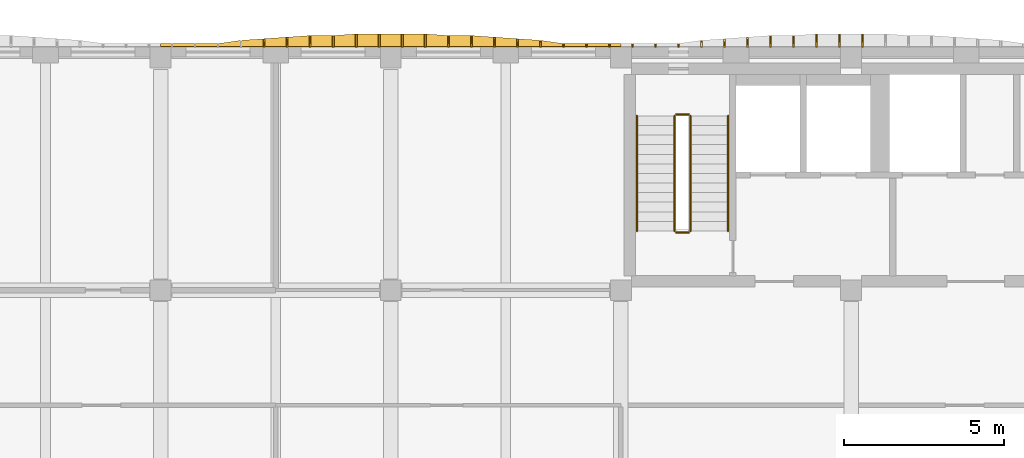
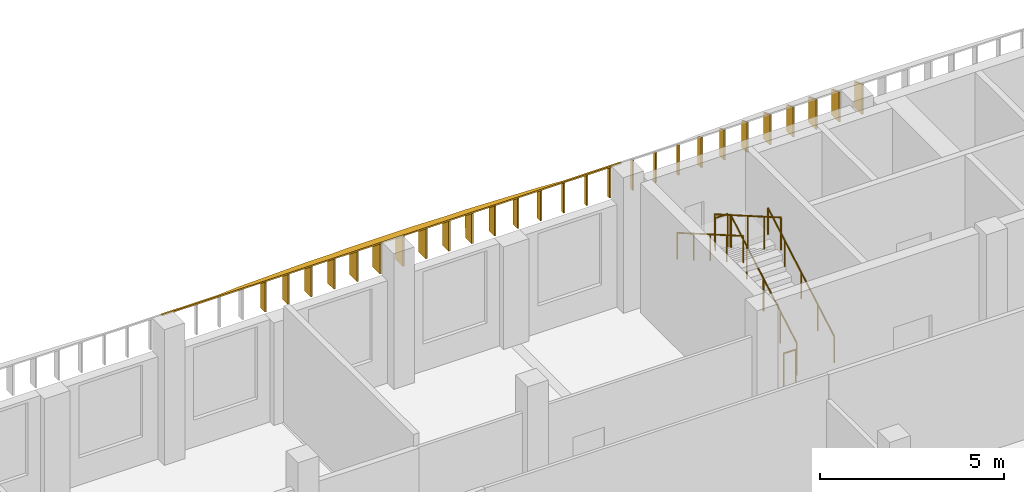
# One storey, part 48 of 58: 28 shading devices, 6 railings.
"""IFC4 building model written with IfcOpenShell, lengths in metres."""

import ifcopenshell
import ifcopenshell.guid

model = None  # the IFC model being written
_history = None  # IfcOwnerHistory: only IFC2X3 demands one
_inside = {}  # id of a spatial element -> (the spatial element, [elements in it])
_under = {}  # id of a project, library or spatial element -> (it, [spatial elements below it])
_declared = {}  # id of a project -> (the project, [libraries it declares])
_typed = {}  # id of a type object -> (the type object, [elements of that type])
_made_of = {}  # id of a material, layer set ... -> (it, [elements and type objects made of it])


def new_model(schema):
    """Start an empty IFC model of exactly this schema.

    Asked for "IFC4X3", IfcOpenShell would pick the latest addendum, in which some entities
    have other attributes; the version numbers below select the first issue.
    IFC2X3 requires an IfcOwnerHistory on every rooted entity: one is made here for all.
    """
    global model, _history
    if schema == "IFC4X3":
        model = ifcopenshell.file(schema_version=(4, 3, 0, 0))
    else:
        model = ifcopenshell.file(schema=schema)
    _inside.clear()
    _under.clear()
    _declared.clear()
    _typed.clear()
    _made_of.clear()
    _history = None
    if model.schema == "IFC2X3":
        org = make("IfcOrganization", Name="unknown")
        user = make(
            "IfcPersonAndOrganization",
            ThePerson=make("IfcPerson", FamilyName="unknown"),
            TheOrganization=org,
        )
        app = make(
            "IfcApplication",
            ApplicationDeveloper=org,
            Version="unknown",
            ApplicationFullName="unknown",
            ApplicationIdentifier="unknown",
        )
        _history = make(
            "IfcOwnerHistory",
            OwningUser=user,
            OwningApplication=app,
            ChangeAction="ADDED",
            CreationDate=0,
        )
    return model


def make(cls, **values):
    """One entity of the class cls with the attributes given. An attribute that is None is left unset."""
    return model.create_entity(
        cls, **{name: value for name, value in values.items() if value is not None}
    )


def rooted(cls, **values):
    """An entity with a GlobalId (a new one), such as an element, a storey or a relation."""
    return make(cls, GlobalId=ifcopenshell.guid.new(), OwnerHistory=_history, **values)


def si_unit(unit_type, name, prefix=None):
    """IfcSIUnit, for example si_unit("LENGTHUNIT", "METRE", prefix="MILLI")."""
    return make("IfcSIUnit", UnitType=unit_type, Prefix=prefix, Name=name)


def assignment(units):
    """IfcUnitAssignment: the units of a project."""
    return None if units is None else make("IfcUnitAssignment", Units=units)


def point(xyz):
    """IfcCartesianPoint."""
    return None if xyz is None else make("IfcCartesianPoint", Coordinates=xyz)


def direction(xyz):
    """IfcDirection."""
    return None if xyz is None else make("IfcDirection", DirectionRatios=xyz)


def frame(location, z_axis=None, x_axis=None):
    """IfcAxis2Placement3D, a coordinate frame: its origin and axes. An axis left out is left unset."""
    return make(
        "IfcAxis2Placement3D",
        Location=point(location),
        Axis=direction(z_axis),
        RefDirection=direction(x_axis),
    )


def frame_2d(location, x_axis=None):
    """IfcAxis2Placement2D, a coordinate frame in the plane: its origin and x axis."""
    return make(
        "IfcAxis2Placement2D", Location=point(location), RefDirection=direction(x_axis)
    )


def origin():
    """The frame at (0, 0, 0) with its axes left unset."""
    return frame((0.0, 0.0, 0.0))


def origin_2d():
    """The frame at (0, 0) in the plane with its x axis left unset."""
    return frame_2d((0.0, 0.0))


def place(relative_to, where):
    """IfcLocalPlacement: puts the frame where relative to a parent placement (None: the world)."""
    return make(
        "IfcLocalPlacement", PlacementRelTo=relative_to, RelativePlacement=where
    )


def context(
    kind, dimensions, precision=None, world=None, true_north=None, identifier=None
):
    """IfcGeometricRepresentationContext, for example the 3D "Model" context."""
    return make(
        "IfcGeometricRepresentationContext",
        ContextIdentifier=identifier,
        ContextType=kind,
        CoordinateSpaceDimension=dimensions,
        Precision=precision,
        WorldCoordinateSystem=world,
        TrueNorth=true_north,
    )


def subcontext(parent, identifier, kind, view, scale=None):
    """IfcGeometricRepresentationSubContext, for example "Body" below "Model"."""
    return make(
        "IfcGeometricRepresentationSubContext",
        ContextIdentifier=identifier,
        ContextType=kind,
        ParentContext=parent,
        TargetScale=scale,
        TargetView=view,
    )


def project(units=None, contexts=None):
    """IfcProject with its units and contexts."""
    return rooted(
        "IfcProject",
        Name="project",
        RepresentationContexts=contexts,
        UnitsInContext=assignment(units),
    )


def spatial(cls, under=None, at=None, **own):
    """A site, building, storey or space (cls), placed at a placement, below another one or the project."""
    s = rooted(cls, ObjectPlacement=at, **own)
    if under is not None:
        _under.setdefault(under.id(), (under, []))[1].append(s)
    return s


def polyline(points):
    """IfcPolyline through the points."""
    return make("IfcPolyline", Points=[point(p) for p in points])


def profile(cls, at=None, kind="AREA", **sizes):
    """A parametric profile (cls). Its sizes go by their IFC names, for example OverallWidth=200.0."""
    return make(cls, ProfileType=kind, Position=at, **sizes)


def circle(**sizes):
    """IfcCircleProfileDef."""
    return profile("IfcCircleProfileDef", **sizes)


def outline(outer, holes=None, kind="AREA"):
    """IfcArbitraryClosedProfileDef: a profile drawn as a closed curve; with holes, ...WithVoids."""
    if holes is None:
        return make("IfcArbitraryClosedProfileDef", ProfileType=kind, OuterCurve=outer)
    return make(
        "IfcArbitraryProfileDefWithVoids",
        ProfileType=kind,
        OuterCurve=outer,
        InnerCurves=holes,
    )


def extrude(swept, where, along, depth):
    """IfcExtrudedAreaSolid: the profile swept, set in the frame where, extruded along a direction by depth."""
    return make(
        "IfcExtrudedAreaSolid",
        SweptArea=swept,
        Position=where,
        ExtrudedDirection=direction(along),
        Depth=depth,
    )


def shape(context_of_items, identifier, shape_type, items):
    """IfcShapeRepresentation: the items that make up one representation, for example the "Body"."""
    return make(
        "IfcShapeRepresentation",
        ContextOfItems=context_of_items,
        RepresentationIdentifier=identifier,
        RepresentationType=shape_type,
        Items=items,
    )


def material(Name=None, Category=None):
    """IfcMaterial."""
    return make("IfcMaterial", Name=Name, Category=Category)


def layer(
    of_material, thickness, ventilated=None, Name=None, Category=None, Priority=None
):
    """IfcMaterialLayer: one layer of a wall or slab, of a material (None: an air gap)."""
    return make(
        "IfcMaterialLayer",
        Material=of_material,
        LayerThickness=thickness,
        IsVentilated=ventilated,
        Name=Name,
        Category=Category,
        Priority=Priority,
    )


def layer_set(layers, Name=None):
    """IfcMaterialLayerSet."""
    return make("IfcMaterialLayerSet", MaterialLayers=layers, LayerSetName=Name)


def made_of(thing, what):
    """Note that an element or type object is made of a material, layer set ...; save() writes the relation."""
    if what is not None:
        _made_of.setdefault(what.id(), (what, []))[1].append(thing)
    return thing


def type_object(cls, material=None, **own):
    """A type object (cls), such as IfcWallType, which elements share."""
    return made_of(rooted(cls, **own), material)


def element(
    cls,
    number,
    at=None,
    inside=None,
    cuts=None,
    type_object=None,
    material=None,
    context=None,
    identifier="Body",
    shape_type=None,
    held_by="IfcProductDefinitionShape",
    body=None,
    shapes=None,
    **own,
):
    """One element of the class cls, such as IfcWall. Its Tag is "e" and its number.

    at: its placement. inside: the storey or other place that contains it. cuts: it is an
    opening in that element (IfcRelVoidsElement). A single representation is given by context,
    identifier, shape_type and body (its items); several are given by shapes. held_by: the class
    of the entity that holds the representations. save() writes the other relations.
    """
    e = rooted(cls, Tag="e%d" % number, ObjectPlacement=at, **own)
    if body is not None:
        shapes = [shape(context, identifier, shape_type, body)]
    if shapes is not None:
        e.Representation = make(held_by, Representations=shapes)
    if inside is not None:
        _inside.setdefault(inside.id(), (inside, []))[1].append(e)
    if cuts is not None:
        rooted(
            "IfcRelVoidsElement", RelatingBuildingElement=cuts, RelatedOpeningElement=e
        )
    if type_object is not None:
        _typed.setdefault(type_object.id(), (type_object, []))[1].append(e)
    return made_of(e, material)


def aggregate(whole, parts):
    """IfcRelAggregates: a whole, such as a stair, and the parts it consists of."""
    return rooted("IfcRelAggregates", RelatingObject=whole, RelatedObjects=parts)


def save(model, path):
    """Write the relations noted so far, then the file.

    IfcRelAggregates (storeys below a building ...), IfcRelContainedInSpatialStructure (elements
    in a storey), IfcRelDefinesByType, IfcRelAssociatesMaterial and IfcRelDeclares: one each for
    every whole, place, type object, material and project.
    """
    for whole, parts in _under.values():
        aggregate(whole, parts)
    for where, things in _inside.values():
        rooted(
            "IfcRelContainedInSpatialStructure",
            RelatedElements=things,
            RelatingStructure=where,
        )
    for kind, things in _typed.values():
        rooted("IfcRelDefinesByType", RelatedObjects=things, RelatingType=kind)
    for what, things in _made_of.values():
        rooted("IfcRelAssociatesMaterial", RelatedObjects=things, RelatingMaterial=what)
    for by, libraries in _declared.values():
        rooted("IfcRelDeclares", RelatingContext=by, RelatedDefinitions=libraries)
    model.write(path)


model = new_model("IFC4")

# Units and contexts
model_context = context("Model", 3, precision=1e-05, world=origin(), true_north=direction((0.0, 1.0)))
body_context = subcontext(model_context, "Body", "Model", "MODEL_VIEW")
ifc_project = project(units=[si_unit("LENGTHUNIT", "METRE"), si_unit("AREAUNIT", "SQUARE_METRE"), si_unit("VOLUMEUNIT", "CUBIC_METRE"), si_unit("PLANEANGLEUNIT", "RADIAN"), si_unit("MASSUNIT", "GRAM", prefix="KILO")], contexts=[model_context])

# Site, building, storey
site_placement = place(None, origin())
site = spatial("IfcSite", under=ifc_project, at=site_placement, CompositionType="ELEMENT")
building_placement = place(site_placement, origin())
building = spatial("IfcBuilding", under=site, at=building_placement, Name="Ussher Court Research Institute", CompositionType="ELEMENT")
storey_placement = place(building_placement, frame((0.0, 0.0, 9.89990234375)))
storey = spatial("IfcBuildingStorey", under=building, at=storey_placement, Name="L02", CompositionType="ELEMENT", Elevation=9.89990234375)

# Shading devices
ifc_material_1 = material(Name="Bronze anodised aluminium", Category="aluminium")
ifc_layer_1 = layer(ifc_material_1, 0.050048828125)
ifc_layer_set_1 = layer_set([ifc_layer_1], Name="Bronze anodised aluminium")
shading_device_type_1 = type_object("IfcShadingDeviceType", Name="Brim blade 100 mm deep 1000 mm high canted 20 deg dry", PredefinedType="USERDEFINED", material=ifc_layer_set_1)
for number, where, z_axis, x_axis, name in (
    (1, (44.39990234375, 90.800048828125, 3.4501953125), (0.0, 0.0, 1.0), (0.0, 1.0, 0.0), "Brim blade BS17 L02"),
    (2, (45.1201171875, 90.800048828125, 3.4501953125), (0.0, 0.0, 1.0), (0.0, 1.0, 0.0), "Brim blade BS17 L02"),
    (3, (45.840087890625, 90.800048828125, 3.4501953125), (0.0, 0.0, 1.0), (0.0, 1.0, 0.0), "Brim blade BS17 L02"),
    (4, (46.56005859375, 90.800048828125, 3.4501953125), (0.0, 0.0, 1.0), (0.0, 1.0, 0.0), "Brim blade BS17 L02"),
    (5, (47.280029296875, 90.800048828125, 3.4501953125), (0.0, 0.0, 1.0), (0.0, 1.0, 0.0), "Brim blade BS17 L02"),
    (6, (48.0, 90.800048828125, 3.4501953125), (0.0, 0.0, 1.0), (0.0, 1.0, 0.0), "Brim blade BS17 L02"),
):
    element("IfcShadingDevice", number, at=place(storey_placement, frame(where, z_axis=z_axis, x_axis=x_axis)), inside=storey, type_object=shading_device_type_1, Name=name, ObjectType="BLADE", PredefinedType="USERDEFINED", context=body_context, shape_type="SweptSolid", body=[
        extrude(outline(polyline([(0.0, 0.0), (0.099853515625, 0.0), (0.10009765625, 0.963623046875), (0.0, 1.0), (0.0, 0.0)])), frame((0.0, 0.02490234375, 0.0), z_axis=(0.0, -1.0, 0.0), x_axis=(1.0, 0.0, 0.0)), (0.0, 0.0, 1.0), 0.050048828125),
    ])
ifc_material_2 = material(Name="Bronze anodised aluminium", Category="aluminium")
ifc_layer_2 = layer(ifc_material_2, 0.050048828125)
ifc_layer_set_2 = layer_set([ifc_layer_2], Name="Bronze anodised aluminium")
shading_device_type_2 = type_object("IfcShadingDeviceType", Name="Brim blade 200 mm deep 1000 mm high canted 20 deg dry", PredefinedType="USERDEFINED", material=ifc_layer_set_2)
for number, where, z_axis, x_axis, name in (
    (7, (43.679931640625, 90.800048828125, 3.4501953125), (0.0, 0.0, 1.0), (0.0, 1.0, 0.0), "Brim blade BS15 L02"),
    (8, (48.719970703125, 90.800048828125, 3.4501953125), (0.0, 0.0, 1.0), (0.0, 1.0, 0.0), "Brim blade BS15 L02"),
):
    element("IfcShadingDevice", number, at=place(storey_placement, frame(where, z_axis=z_axis, x_axis=x_axis)), inside=storey, type_object=shading_device_type_2, Name=name, ObjectType="BLADE", PredefinedType="USERDEFINED", context=body_context, shape_type="SweptSolid", body=[
        extrude(outline(polyline([(0.0, 0.0), (0.199951171875, 0.0), (0.199951171875, 0.927001953125), (0.0, 1.0), (0.0, 0.0)])), frame((0.0, 0.02490234375, 0.0), z_axis=(0.0, -1.0, 0.0), x_axis=(1.0, 0.0, 0.0)), (0.0, 0.0, 1.0), 0.050048828125),
    ])
ifc_material_3 = material(Name="Bronze anodised aluminium", Category="aluminium")
ifc_layer_3 = layer(ifc_material_3, 0.050048828125)
ifc_layer_set_3 = layer_set([ifc_layer_3], Name="Bronze anodised aluminium")
shading_device_type_3 = type_object("IfcShadingDeviceType", Name="Brim blade 250 mm deep 1000 mm high canted 20 deg dry", PredefinedType="USERDEFINED", material=ifc_layer_set_3)
for number, where, z_axis, x_axis, name in (
    (9, (35.0400390625, 90.800048828125, 3.4501953125), (0.0, 0.0, 1.0), (0.0, 1.0, 0.0), "Brim blade BS14 L02"),
    (10, (42.9599609375, 90.800048828125, 3.4501953125), (0.0, 0.0, 1.0), (0.0, 1.0, 0.0), "Brim blade BS14 L02"),
    (11, (49.43994140625, 90.800048828125, 3.4501953125), (0.0, 0.0, 1.0), (0.0, 1.0, 0.0), "Brim blade BS14 L02"),
):
    element("IfcShadingDevice", number, at=place(storey_placement, frame(where, z_axis=z_axis, x_axis=x_axis)), inside=storey, type_object=shading_device_type_3, Name=name, ObjectType="BLADE", PredefinedType="USERDEFINED", context=body_context, shape_type="SweptSolid", body=[
        extrude(outline(polyline([(0.0, 0.0), (0.25, 0.0), (0.25, 0.908935546875), (0.0, 1.0), (0.0, 0.0)])), frame((0.0, 0.02490234375, 0.0), z_axis=(0.0, -1.0, 0.0), x_axis=(1.0, 0.0, 0.0)), (0.0, 0.0, 1.0), 0.050048828125),
    ])
ifc_material_4 = material(Name="Bronze anodised aluminium", Category="aluminium")
ifc_layer_4 = layer(ifc_material_4, 0.050048828125)
ifc_layer_set_4 = layer_set([ifc_layer_4], Name="Bronze anodised aluminium")
shading_device_type_4 = type_object("IfcShadingDeviceType", Name="Brim blade 300 mm deep 1000 mm high canted 20 deg dry", PredefinedType="USERDEFINED", material=ifc_layer_set_4)
for number, where, z_axis, x_axis, name in (
    (12, (35.760009765625, 90.800048828125, 3.4501953125), (0.0, 0.0, 1.0), (0.0, 1.0, 0.0), "Brim blade BS13 L02"),
    (13, (42.239990234375, 90.800048828125, 3.4501953125), (0.0, 0.0, 1.0), (0.0, 1.0, 0.0), "Brim blade BS13 L02"),
    (14, (50.159912109375, 90.800048828125, 3.4501953125), (0.0, 0.0, 1.0), (0.0, 1.0, 0.0), "Brim blade BS13 L02"),
):
    element("IfcShadingDevice", number, at=place(storey_placement, frame(where, z_axis=z_axis, x_axis=x_axis)), inside=storey, type_object=shading_device_type_4, Name=name, ObjectType="BLADE", PredefinedType="USERDEFINED", context=body_context, shape_type="SweptSolid", body=[
        extrude(outline(polyline([(0.0, 0.0), (0.300048828125, 0.0), (0.300048828125, 0.890625), (0.0, 1.0), (0.0, 0.0)])), frame((0.0, 0.02490234375, 0.0), z_axis=(0.0, -1.0, 0.0), x_axis=(1.0, 0.0, 0.0)), (0.0, 0.0, 1.0), 0.050048828125),
    ])
ifc_material_5 = material(Name="Bronze anodised aluminium", Category="aluminium")
ifc_layer_5 = layer(ifc_material_5, 0.050048828125)
ifc_layer_set_5 = layer_set([ifc_layer_5], Name="Bronze anodised aluminium")
shading_device_type_5 = type_object("IfcShadingDeviceType", Name="Brim blade 350 mm deep 1000 mm high canted 20 deg dry", PredefinedType="USERDEFINED", material=ifc_layer_set_5)
for number, where, z_axis, x_axis, name in (
    (15, (36.47998046875, 90.800048828125, 3.4501953125), (0.0, 0.0, 1.0), (0.0, 1.0, 0.0), "Brim blade BS12 L02"),
    (16, (37.199951171875, 90.800048828125, 3.4501953125), (0.0, 0.0, 1.0), (0.0, 1.0, 0.0), "Brim blade BS12 L02"),
    (17, (40.800048828125, 90.800048828125, 3.4501953125), (0.0, 0.0, 1.0), (0.0, 1.0, 0.0), "Brim blade BS12 L02"),
    (18, (41.52001953125, 90.800048828125, 3.4501953125), (0.0, 0.0, 1.0), (0.0, 1.0, 0.0), "Brim blade BS12 L02"),
    (19, (50.8798828125, 90.800048828125, 3.4501953125), (0.0, 0.0, 1.0), (0.0, 1.0, 0.0), "Brim blade BS12 L02"),
    (20, (51.60009765625, 90.800048828125, 3.4501953125), (0.0, 0.0, 1.0), (0.0, 1.0, 0.0), "Brim blade BS12 L02"),
):
    element("IfcShadingDevice", number, at=place(storey_placement, frame(where, z_axis=z_axis, x_axis=x_axis)), inside=storey, type_object=shading_device_type_5, Name=name, ObjectType="BLADE", PredefinedType="USERDEFINED", context=body_context, shape_type="SweptSolid", body=[
        extrude(outline(polyline([(0.0, 0.0), (0.349853515625, 0.0), (0.35009765625, 0.87255859375), (0.0, 1.0), (0.0, 0.0)])), frame((0.0, 0.02490234375, 0.0), z_axis=(0.0, -1.0, 0.0), x_axis=(1.0, 0.0, 0.0)), (0.0, 0.0, 1.0), 0.050048828125),
    ])
ifc_material_6 = material(Name="Bronze anodised aluminium", Category="aluminium")
ifc_layer_6 = layer(ifc_material_6, 0.050048828125)
ifc_layer_set_6 = layer_set([ifc_layer_6], Name="Bronze anodised aluminium")
shading_device_type_6 = type_object("IfcShadingDeviceType", Name="Brim blade 400 mm deep 1000 mm high canted 20 deg dry", PredefinedType="USERDEFINED", material=ifc_layer_set_6)
for number, where, z_axis, x_axis, name in (
    (21, (37.919921875, 90.800048828125, 3.4501953125), (0.0, 0.0, 1.0), (0.0, 1.0, 0.0), "Brim blade BS11 L02"),
    (22, (38.639892578125, 90.800048828125, 3.4501953125), (0.0, 0.0, 1.0), (0.0, 1.0, 0.0), "Brim blade BS11 L02"),
    (23, (39.360107421875, 90.800048828125, 3.4501953125), (0.0, 0.0, 1.0), (0.0, 1.0, 0.0), "Brim blade BS11 L02"),
    (24, (40.080078125, 90.800048828125, 3.4501953125), (0.0, 0.0, 1.0), (0.0, 1.0, 0.0), "Brim blade BS11 L02"),
    (25, (52.320068359375, 90.800048828125, 3.4501953125), (0.0, 0.0, 1.0), (0.0, 1.0, 0.0), "Brim blade BS11 L02"),
    (26, (53.0400390625, 90.800048828125, 3.4501953125), (0.0, 0.0, 1.0), (0.0, 1.0, 0.0), "Brim blade BS11 L02"),
    (27, (53.760009765625, 90.800048828125, 3.4501953125), (0.0, 0.0, 1.0), (0.0, 1.0, 0.0), "Brim blade BS11 L02"),
):
    element("IfcShadingDevice", number, at=place(storey_placement, frame(where, z_axis=z_axis, x_axis=x_axis)), inside=storey, type_object=shading_device_type_6, Name=name, ObjectType="BLADE", PredefinedType="USERDEFINED", context=body_context, shape_type="SweptSolid", body=[
        extrude(outline(polyline([(0.0, 0.0), (0.39990234375, 0.0), (0.39990234375, 0.854248046875), (0.0, 1.0), (0.0, 0.0)])), frame((0.0, 0.02490234375, 0.0), z_axis=(0.0, -1.0, 0.0), x_axis=(1.0, 0.0, 0.0)), (0.0, 0.0, 1.0), 0.050048828125),
    ])
ifc_material_7 = material(Name="Bronze anodised aluminium", Category="aluminium")
ifc_layer_7 = layer(ifc_material_7, 0.0400390625)
ifc_layer_set_7 = layer_set([ifc_layer_7], Name="Bronze anodised aluminium")
shading_device_type_7 = type_object("IfcShadingDeviceType", Name="Brim visor sheet 40 mm canted 20 deg dry", PredefinedType="USERDEFINED", material=ifc_layer_set_7)
shading_device_placement = place(storey_placement, frame((31.800048828125, 90.813720703125, 4.48779296875), z_axis=(0.0, 0.342255787034, 0.939606820027), x_axis=(1.0, 0.0, 0.0)))
element("IfcShadingDevice", 28, at=shading_device_placement, inside=storey, type_object=shading_device_type_7, Name="Brim visor sheet BR2 L02", ObjectType="BRIM", PredefinedType="USERDEFINED", context=body_context, shape_type="SweptSolid", body=[
    extrude(outline(polyline([(0.0, 0.0), (14.39990234375, 0.0), (14.39990234375, 0.10650266320293991), (14.0400390625, 0.10650266320293991), (13.320068359375, 0.10650266320293991), (12.599853515625, 0.10650266320293991), (11.8798828125, 0.21285948875134061), (11.159912109375, 0.26606904108193236), (10.43994140625, 0.3193621519542805), (9.719970703125, 0.37257170428487224), (9.0, 0.37257170428487224), (8.280029296875, 0.42563541896092477), (7.56005859375, 0.42563541896092477), (6.83984375, 0.42563541896092477), (6.119873046875, 0.42563541896092477), (5.39990234375, 0.37257170428487224), (4.679931640625, 0.37257170428487224), (3.9599609375, 0.3193621519542805), (3.239990234375, 0.26606904108193236), (2.52001953125, 0.21285948875134061), (1.800048828125, 0.10650266320293991), (1.079833984375, 0.10650266320293991), (0.35986328125, 0.10650266320293991), (0.0, 0.10650266320293991), (0.0, 0.0)])), origin(), (0.0, 0.0, -1.0), 0.0400390625),
])

# Railings
ifc_material_8 = material(Name="Painted steel balustrade", Category="steel")
railing_type_1 = type_object("IfcRailingType", Name="Stair guard 1100 steel balustrade", PredefinedType="GUARDRAIL", material=ifc_material_8)
railing_1_placement = place(storey_placement, frame((48.3701171875, 85.050048828125, 0.173095703125)))
element("IfcRailing", 29, at=railing_1_placement, inside=storey, type_object=railing_type_1, Name="L02 D2 stair guard 1", PredefinedType="GUARDRAIL", context=body_context, shape_type="SweptSolid", body=[
    extrude(circle(Radius=0.02392578125, at=origin_2d()), frame((0.0, 0.0, 1.076171875), z_axis=(0.0, 0.866178740119, 0.499734319579), x_axis=(-1.0, 0.0, 0.0)), (0.0, 0.0, 1.0), 4.156005859375),
    extrude(circle(Radius=0.02099609375, at=origin_2d()), origin(), (0.0, 0.0, 1.0), 1.052001953125),
    extrude(circle(Radius=0.02099609375, at=origin_2d()), frame((0.0, 0.89990234375, 0.519287109375)), (0.0, 0.0, 1.0), 1.052001953125),
    extrude(circle(Radius=0.02099609375, at=origin_2d()), frame((0.0, 1.7998046875, 1.03857421875)), (0.0, 0.0, 1.0), 1.052001953125),
    extrude(circle(Radius=0.02099609375, at=origin_2d()), frame((0.0, 2.699951171875, 1.5576171875)), (0.0, 0.0, 1.0), 1.052001953125),
    extrude(circle(Radius=0.02099609375, at=origin_2d()), frame((0.0, 3.599853515625, 2.076904296875)), (0.0, 0.0, 1.0), 1.052001953125),
])
railing_2_placement = place(storey_placement, frame((48.320068359375, 88.699951171875, 2.25)))
element("IfcRailing", 30, at=railing_2_placement, inside=storey, type_object=railing_type_1, Name="L02 D2 stair guard 2", PredefinedType="GUARDRAIL", context=body_context, shape_type="SweptSolid", body=[
    extrude(circle(Radius=0.02392578125, at=origin_2d()), frame((0.0, 0.0, 1.076171875), z_axis=(-1.0, 0.0, 0.0), x_axis=(0.0, -1.0, 0.0)), (0.0, 0.0, 1.0), 0.39013671875),
    extrude(circle(Radius=0.02099609375, at=origin_2d()), origin(), (0.0, 0.0, 1.0), 1.052001953125),
    extrude(circle(Radius=0.02099609375, at=origin_2d()), frame((-0.39013671875, 0.0, 0.0)), (0.0, 0.0, 1.0), 1.052001953125),
])
railing_3_placement = place(storey_placement, frame((47.8798828125, 88.64990234375, 2.423095703125)))
element("IfcRailing", 31, at=railing_3_placement, inside=storey, type_object=railing_type_1, Name="L02 D2 stair guard 3", PredefinedType="GUARDRAIL", context=body_context, shape_type="SweptSolid", body=[
    extrude(circle(Radius=0.02392578125, at=origin_2d()), frame((0.0, 0.0, 1.076171875), z_axis=(0.0, -0.866178740119, 0.499734319579), x_axis=(1.0, 0.0, 0.0)), (0.0, 0.0, 1.0), 4.156005859375),
    extrude(circle(Radius=0.02099609375, at=origin_2d()), origin(), (0.0, 0.0, 1.0), 1.052001953125),
    extrude(circle(Radius=0.02099609375, at=origin_2d()), frame((0.0, -0.89990234375, 0.519287109375)), (0.0, 0.0, 1.0), 1.052001953125),
    extrude(circle(Radius=0.02099609375, at=origin_2d()), frame((0.0, -1.7998046875, 1.03857421875)), (0.0, 0.0, 1.0), 1.052001953125),
    extrude(circle(Radius=0.02099609375, at=origin_2d()), frame((0.0, -2.699951171875, 1.5576171875)), (0.0, 0.0, 1.0), 1.052001953125),
    extrude(circle(Radius=0.02099609375, at=origin_2d()), frame((0.0, -3.599853515625, 2.076904296875)), (0.0, 0.0, 1.0), 1.052001953125),
])
railing_4_placement = place(storey_placement, frame((48.320068359375, 85.0, 0.0)))
element("IfcRailing", 32, at=railing_4_placement, inside=storey, type_object=railing_type_1, Name="L02 D2 stair guard 4", PredefinedType="GUARDRAIL", context=body_context, shape_type="SweptSolid", body=[
    extrude(circle(Radius=0.02392578125, at=origin_2d()), frame((0.0, 0.0, 1.076171875), z_axis=(-1.0, 0.0, 0.0), x_axis=(0.0, -1.0, 0.0)), (0.0, 0.0, 1.0), 0.39013671875),
    extrude(circle(Radius=0.02099609375, at=origin_2d()), origin(), (0.0, 0.0, 1.0), 1.052001953125),
    extrude(circle(Radius=0.02099609375, at=origin_2d()), frame((-0.39013671875, 0.0, 0.0)), (0.0, 0.0, 1.0), 1.052001953125),
])
ifc_material_9 = material(Name="Painted steel handrail", Category="steel")
railing_type_2 = type_object("IfcRailingType", Name="Stair handrail 900 steel", PredefinedType="HANDRAIL", material=ifc_material_9)
railing_5_placement = place(storey_placement, frame((49.550048828125, 85.050048828125, 0.173095703125)))
element("IfcRailing", 33, at=railing_5_placement, inside=storey, type_object=railing_type_2, Name="L02 D2 stair handrail 1", PredefinedType="HANDRAIL", context=body_context, shape_type="SweptSolid", body=[
    extrude(circle(Radius=0.02392578125, at=origin_2d()), frame((0.0, 0.0, 0.8759765625), z_axis=(0.0, 0.866178740119, 0.499734319579), x_axis=(-1.0, 0.0, 0.0)), (0.0, 0.0, 1.0), 4.156005859375),
    extrude(circle(Radius=0.02099609375, at=origin_2d()), origin(), (0.0, 0.0, 1.0), 0.851806640625),
    extrude(circle(Radius=0.02099609375, at=origin_2d()), frame((0.0, 0.89990234375, 0.519287109375)), (0.0, 0.0, 1.0), 0.851806640625),
    extrude(circle(Radius=0.02099609375, at=origin_2d()), frame((0.0, 1.7998046875, 1.03857421875)), (0.0, 0.0, 1.0), 0.851806640625),
    extrude(circle(Radius=0.02099609375, at=origin_2d()), frame((0.0, 2.699951171875, 1.5576171875)), (0.0, 0.0, 1.0), 0.851806640625),
    extrude(circle(Radius=0.02099609375, at=origin_2d()), frame((0.0, 3.599853515625, 2.076904296875)), (0.0, 0.0, 1.0), 0.851806640625),
])
railing_6_placement = place(storey_placement, frame((46.699951171875, 88.64990234375, 2.423095703125)))
element("IfcRailing", 34, at=railing_6_placement, inside=storey, type_object=railing_type_2, Name="L02 D2 stair handrail 2", PredefinedType="HANDRAIL", context=body_context, shape_type="SweptSolid", body=[
    extrude(circle(Radius=0.02392578125, at=origin_2d()), frame((0.0, 0.0, 0.8759765625), z_axis=(0.0, -0.866178740119, 0.499734319579), x_axis=(1.0, 0.0, 0.0)), (0.0, 0.0, 1.0), 4.156005859375),
    extrude(circle(Radius=0.02099609375, at=origin_2d()), origin(), (0.0, 0.0, 1.0), 0.851806640625),
    extrude(circle(Radius=0.02099609375, at=origin_2d()), frame((0.0, -0.89990234375, 0.519287109375)), (0.0, 0.0, 1.0), 0.851806640625),
    extrude(circle(Radius=0.02099609375, at=origin_2d()), frame((0.0, -1.7998046875, 1.03857421875)), (0.0, 0.0, 1.0), 0.851806640625),
    extrude(circle(Radius=0.02099609375, at=origin_2d()), frame((0.0, -2.699951171875, 1.5576171875)), (0.0, 0.0, 1.0), 0.851806640625),
    extrude(circle(Radius=0.02099609375, at=origin_2d()), frame((0.0, -3.599853515625, 2.076904296875)), (0.0, 0.0, 1.0), 0.851806640625),
])

save(model, "model.ifc")
